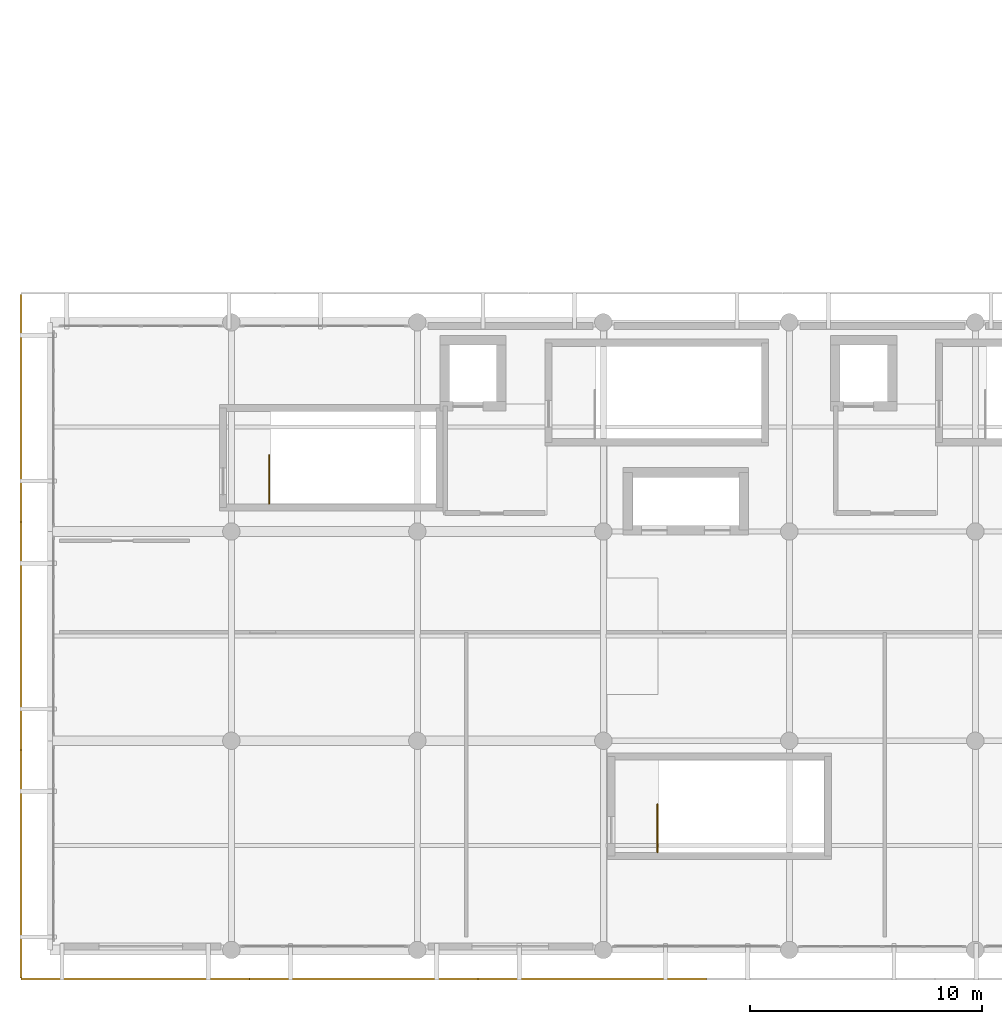
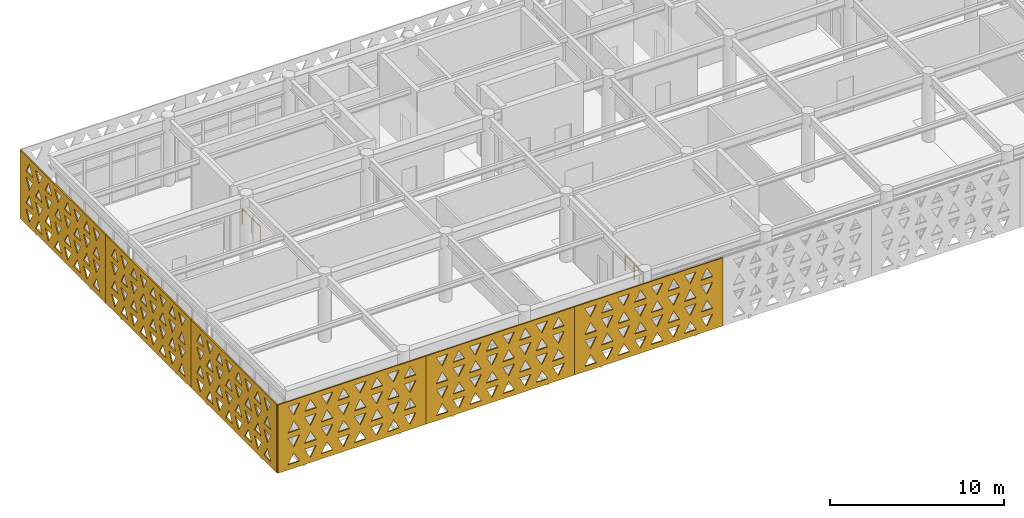
# One storey, part 22 of 26: 6 coverings, 2 railings.
"""IFC4 building model written with IfcOpenShell, lengths in metres."""

from ifc_helpers import new_model, si_unit, direction, frame, origin, origin_2d, place, context, subcontext, project, spatial, polyline, circle, outline, extrude, material, layer, layer_set, type_object, element, save


model = new_model("IFC4")

# Units and contexts
model_context = context("Model", 3, precision=1e-05, world=origin(), true_north=direction((0.0, 1.0)))
body_context = subcontext(model_context, "Body", "Model", "MODEL_VIEW")
ifc_project = project(units=[si_unit("LENGTHUNIT", "METRE"), si_unit("AREAUNIT", "SQUARE_METRE"), si_unit("VOLUMEUNIT", "CUBIC_METRE"), si_unit("PLANEANGLEUNIT", "RADIAN"), si_unit("MASSUNIT", "GRAM", prefix="KILO")], contexts=[model_context])

# Site, building, storey
site_placement = place(None, origin())
site = spatial("IfcSite", under=ifc_project, at=site_placement, CompositionType="ELEMENT")
building_placement = place(site_placement, origin())
building = spatial("IfcBuilding", under=site, at=building_placement, Name="Tlacozan Convention Centre", CompositionType="ELEMENT")
storey_placement = place(building_placement, frame((0.0, 0.0, 21.0)))
storey = spatial("IfcBuildingStorey", under=building, at=storey_placement, Name="L04", CompositionType="ELEMENT", Elevation=21.0)

# Railings
ifc_material_1 = material(Name="Architectural Painted Galvanised Steel Railing", Category="steel")
railing_type = type_object("IfcRailingType", Name="Stair Well Guardrail 1100", PredefinedType="GUARDRAIL", material=ifc_material_1)
for number, where, name in (
    (1, (9.6298828125, 19.199951171875, 0.0), "L04 ST-13 top well guard 1"),
    (2, (26.330078125, 4.199951171875, 0.0), "L04 ST-16 top well guard 1"),
):
    element("IfcRailing", number, at=place(storey_placement, frame(where)), inside=storey, type_object=railing_type, Name=name, PredefinedType="GUARDRAIL", context=body_context, shape_type="SweptSolid", body=[
        extrude(circle(Radius=0.02392578125, at=origin_2d()), frame((0.0, 0.0, 1.076171875), z_axis=(0.0, 1.0, 0.0), x_axis=(-1.0, 0.0, 0.0)), (0.0, 0.0, 1.0), 2.080078125),
        extrude(circle(Radius=0.02099609375, at=origin_2d()), origin(), (0.0, 0.0, 1.0), 1.052001953125),
        extrude(circle(Radius=0.02099609375, at=origin_2d()), frame((0.0, 1.0400390625, 0.0)), (0.0, 0.0, 1.0), 1.052001953125),
        extrude(circle(Radius=0.02099609375, at=origin_2d()), frame((0.0, 2.080078125, 0.0)), (0.0, 0.0, 1.0), 1.052001953125),
    ])

# Coverings
ifc_material_2 = material(Name="Toluca Fired Terracotta Masonry Solar Screen", Category="masonry")
ifc_layer = layer(ifc_material_2, 0.080078125)
ifc_layer_set = layer_set([ifc_layer], Name="Toluca Fired Terracotta Masonry Solar Screen")
covering_type = type_object("IfcCoveringType", Name="Terracotta Triangle Solar Screen 80", PredefinedType="USERDEFINED", material=ifc_layer_set)
covering_1_placement = place(storey_placement, frame((-1.048095703125, -1.25, -0.030029296875), z_axis=(0.0, 0.0, 1.0), x_axis=(1.0, 0.0, 0.0)))
element("IfcCovering", 3, at=covering_1_placement, inside=storey, type_object=covering_type, Name="L04 Terracotta Triangle Screen 77", ObjectType="SCREEN", PredefinedType="USERDEFINED", context=body_context, shape_type="SweptSolid", body=[
    extrude(outline(polyline([(0.0, 0.0), (9.826171875, 0.0), (9.826171875, 4.780029296875), (0.0, 4.780029296875), (0.0, 0.0)]), holes=[polyline([(0.677001953125, 0.360107421875), (1.44921875, 0.360107421875), (1.06298828125, 1.074951171875), (0.677001953125, 0.360107421875)]), polyline([(1.777099609375, 1.074951171875), (2.549072265625, 1.074951171875), (2.1630859375, 0.360107421875), (1.777099609375, 1.074951171875)]), polyline([(2.876953125, 0.360107421875), (3.649169921875, 0.360107421875), (3.26318359375, 1.074951171875), (2.876953125, 0.360107421875)]), polyline([(3.97705078125, 1.074951171875), (4.7490234375, 1.074951171875), (4.363037109375, 0.360107421875), (3.97705078125, 1.074951171875)]), polyline([(5.0771484375, 0.360107421875), (5.84912109375, 0.360107421875), (5.463134765625, 1.074951171875), (5.0771484375, 0.360107421875)]), polyline([(6.177001953125, 1.074951171875), (6.94921875, 1.074951171875), (6.56298828125, 0.360107421875), (6.177001953125, 1.074951171875)]), polyline([(7.277099609375, 0.360107421875), (8.049072265625, 0.360107421875), (7.6630859375, 1.074951171875), (7.277099609375, 0.360107421875)]), polyline([(8.376953125, 1.074951171875), (9.149169921875, 1.074951171875), (8.76318359375, 0.360107421875), (8.376953125, 1.074951171875)]), polyline([(0.677001953125, 2.18994140625), (1.44921875, 2.18994140625), (1.06298828125, 1.47509765625), (0.677001953125, 2.18994140625)]), polyline([(1.777099609375, 1.47509765625), (2.549072265625, 1.47509765625), (2.1630859375, 2.18994140625), (1.777099609375, 1.47509765625)]), polyline([(2.876953125, 2.18994140625), (3.649169921875, 2.18994140625), (3.26318359375, 1.47509765625), (2.876953125, 2.18994140625)]), polyline([(3.97705078125, 1.47509765625), (4.7490234375, 1.47509765625), (4.363037109375, 2.18994140625), (3.97705078125, 1.47509765625)]), polyline([(5.0771484375, 2.18994140625), (5.84912109375, 2.18994140625), (5.463134765625, 1.47509765625), (5.0771484375, 2.18994140625)]), polyline([(6.177001953125, 1.47509765625), (6.94921875, 1.47509765625), (6.56298828125, 2.18994140625), (6.177001953125, 1.47509765625)]), polyline([(7.277099609375, 2.18994140625), (8.049072265625, 2.18994140625), (7.6630859375, 1.47509765625), (7.277099609375, 2.18994140625)]), polyline([(8.376953125, 1.47509765625), (9.149169921875, 1.47509765625), (8.76318359375, 2.18994140625), (8.376953125, 1.47509765625)]), polyline([(0.677001953125, 2.590087890625), (1.44921875, 2.590087890625), (1.06298828125, 3.304931640625), (0.677001953125, 2.590087890625)]), polyline([(1.777099609375, 3.304931640625), (2.549072265625, 3.304931640625), (2.1630859375, 2.590087890625), (1.777099609375, 3.304931640625)]), polyline([(2.876953125, 2.590087890625), (3.649169921875, 2.590087890625), (3.26318359375, 3.304931640625), (2.876953125, 2.590087890625)]), polyline([(3.97705078125, 3.304931640625), (4.7490234375, 3.304931640625), (4.363037109375, 2.590087890625), (3.97705078125, 3.304931640625)]), polyline([(5.0771484375, 2.590087890625), (5.84912109375, 2.590087890625), (5.463134765625, 3.304931640625), (5.0771484375, 2.590087890625)]), polyline([(6.177001953125, 3.304931640625), (6.94921875, 3.304931640625), (6.56298828125, 2.590087890625), (6.177001953125, 3.304931640625)]), polyline([(7.277099609375, 2.590087890625), (8.049072265625, 2.590087890625), (7.6630859375, 3.304931640625), (7.277099609375, 2.590087890625)]), polyline([(8.376953125, 3.304931640625), (9.149169921875, 3.304931640625), (8.76318359375, 2.590087890625), (8.376953125, 3.304931640625)]), polyline([(0.677001953125, 4.419921875), (1.44921875, 4.419921875), (1.06298828125, 3.705078125), (0.677001953125, 4.419921875)]), polyline([(1.777099609375, 3.705078125), (2.549072265625, 3.705078125), (2.1630859375, 4.419921875), (1.777099609375, 3.705078125)]), polyline([(2.876953125, 4.419921875), (3.649169921875, 4.419921875), (3.26318359375, 3.705078125), (2.876953125, 4.419921875)]), polyline([(3.97705078125, 3.705078125), (4.7490234375, 3.705078125), (4.363037109375, 4.419921875), (3.97705078125, 3.705078125)]), polyline([(5.0771484375, 4.419921875), (5.84912109375, 4.419921875), (5.463134765625, 3.705078125), (5.0771484375, 4.419921875)]), polyline([(6.177001953125, 3.705078125), (6.94921875, 3.705078125), (6.56298828125, 4.419921875), (6.177001953125, 3.705078125)]), polyline([(7.277099609375, 4.419921875), (8.049072265625, 4.419921875), (7.6630859375, 3.705078125), (7.277099609375, 4.419921875)]), polyline([(8.376953125, 3.705078125), (9.149169921875, 3.705078125), (8.76318359375, 4.419921875), (8.376953125, 3.705078125)])]), frame((0.0, 0.0400390625, 0.0), z_axis=(0.0, -1.0, 0.0), x_axis=(1.0, 0.0, 0.0)), (0.0, 0.0, 1.0), 0.080078125),
])
covering_2_placement = place(storey_placement, frame((8.781982421875, -1.25, -0.030029296875), z_axis=(0.0, 0.0, 1.0), x_axis=(1.0, 0.0, 0.0)))
element("IfcCovering", 4, at=covering_2_placement, inside=storey, type_object=covering_type, Name="L04 Terracotta Triangle Screen 78", ObjectType="SCREEN", PredefinedType="USERDEFINED", context=body_context, shape_type="SweptSolid", body=[
    extrude(outline(polyline([(0.0, 0.0), (9.825927734375, 0.0), (9.825927734375, 4.780029296875), (0.0, 4.780029296875), (0.0, 0.0)]), holes=[polyline([(0.677001953125, 0.360107421875), (1.448974609375, 0.360107421875), (1.06298828125, 1.074951171875), (0.677001953125, 0.360107421875)]), polyline([(1.77685546875, 1.074951171875), (2.549072265625, 1.074951171875), (2.1630859375, 0.360107421875), (1.77685546875, 1.074951171875)]), polyline([(2.876953125, 0.360107421875), (3.64892578125, 0.360107421875), (3.262939453125, 1.074951171875), (2.876953125, 0.360107421875)]), polyline([(3.97705078125, 1.074951171875), (4.7490234375, 1.074951171875), (4.363037109375, 0.360107421875), (3.97705078125, 1.074951171875)]), polyline([(5.076904296875, 0.360107421875), (5.848876953125, 0.360107421875), (5.462890625, 1.074951171875), (5.076904296875, 0.360107421875)]), polyline([(6.177001953125, 1.074951171875), (6.948974609375, 1.074951171875), (6.56298828125, 0.360107421875), (6.177001953125, 1.074951171875)]), polyline([(7.27685546875, 0.360107421875), (8.049072265625, 0.360107421875), (7.6630859375, 1.074951171875), (7.27685546875, 0.360107421875)]), polyline([(8.376953125, 1.074951171875), (9.14892578125, 1.074951171875), (8.762939453125, 0.360107421875), (8.376953125, 1.074951171875)]), polyline([(0.677001953125, 2.18994140625), (1.448974609375, 2.18994140625), (1.06298828125, 1.47509765625), (0.677001953125, 2.18994140625)]), polyline([(1.77685546875, 1.47509765625), (2.549072265625, 1.47509765625), (2.1630859375, 2.18994140625), (1.77685546875, 1.47509765625)]), polyline([(2.876953125, 2.18994140625), (3.64892578125, 2.18994140625), (3.262939453125, 1.47509765625), (2.876953125, 2.18994140625)]), polyline([(3.97705078125, 1.47509765625), (4.7490234375, 1.47509765625), (4.363037109375, 2.18994140625), (3.97705078125, 1.47509765625)]), polyline([(5.076904296875, 2.18994140625), (5.848876953125, 2.18994140625), (5.462890625, 1.47509765625), (5.076904296875, 2.18994140625)]), polyline([(6.177001953125, 1.47509765625), (6.948974609375, 1.47509765625), (6.56298828125, 2.18994140625), (6.177001953125, 1.47509765625)]), polyline([(7.27685546875, 2.18994140625), (8.049072265625, 2.18994140625), (7.6630859375, 1.47509765625), (7.27685546875, 2.18994140625)]), polyline([(8.376953125, 1.47509765625), (9.14892578125, 1.47509765625), (8.762939453125, 2.18994140625), (8.376953125, 1.47509765625)]), polyline([(0.677001953125, 2.590087890625), (1.448974609375, 2.590087890625), (1.06298828125, 3.304931640625), (0.677001953125, 2.590087890625)]), polyline([(1.77685546875, 3.304931640625), (2.549072265625, 3.304931640625), (2.1630859375, 2.590087890625), (1.77685546875, 3.304931640625)]), polyline([(2.876953125, 2.590087890625), (3.64892578125, 2.590087890625), (3.262939453125, 3.304931640625), (2.876953125, 2.590087890625)]), polyline([(3.97705078125, 3.304931640625), (4.7490234375, 3.304931640625), (4.363037109375, 2.590087890625), (3.97705078125, 3.304931640625)]), polyline([(5.076904296875, 2.590087890625), (5.848876953125, 2.590087890625), (5.462890625, 3.304931640625), (5.076904296875, 2.590087890625)]), polyline([(6.177001953125, 3.304931640625), (6.948974609375, 3.304931640625), (6.56298828125, 2.590087890625), (6.177001953125, 3.304931640625)]), polyline([(7.27685546875, 2.590087890625), (8.049072265625, 2.590087890625), (7.6630859375, 3.304931640625), (7.27685546875, 2.590087890625)]), polyline([(8.376953125, 3.304931640625), (9.14892578125, 3.304931640625), (8.762939453125, 2.590087890625), (8.376953125, 3.304931640625)]), polyline([(0.677001953125, 4.419921875), (1.448974609375, 4.419921875), (1.06298828125, 3.705078125), (0.677001953125, 4.419921875)]), polyline([(1.77685546875, 3.705078125), (2.549072265625, 3.705078125), (2.1630859375, 4.419921875), (1.77685546875, 3.705078125)]), polyline([(2.876953125, 4.419921875), (3.64892578125, 4.419921875), (3.262939453125, 3.705078125), (2.876953125, 4.419921875)]), polyline([(3.97705078125, 3.705078125), (4.7490234375, 3.705078125), (4.363037109375, 4.419921875), (3.97705078125, 3.705078125)]), polyline([(5.076904296875, 4.419921875), (5.848876953125, 4.419921875), (5.462890625, 3.705078125), (5.076904296875, 4.419921875)]), polyline([(6.177001953125, 3.705078125), (6.948974609375, 3.705078125), (6.56298828125, 4.419921875), (6.177001953125, 3.705078125)]), polyline([(7.27685546875, 4.419921875), (8.049072265625, 4.419921875), (7.6630859375, 3.705078125), (7.27685546875, 4.419921875)]), polyline([(8.376953125, 3.705078125), (9.14892578125, 3.705078125), (8.762939453125, 4.419921875), (8.376953125, 3.705078125)])]), frame((0.0, 0.0400390625, 0.0), z_axis=(0.0, -1.0, 0.0), x_axis=(1.0, 0.0, 0.0)), (0.0, 0.0, 1.0), 0.080078125),
])
covering_3_placement = place(storey_placement, frame((18.612060546875, -1.25, -0.030029296875), z_axis=(0.0, 0.0, 1.0), x_axis=(1.0, 0.0, 0.0)))
element("IfcCovering", 5, at=covering_3_placement, inside=storey, type_object=covering_type, Name="L04 Terracotta Triangle Screen 79", ObjectType="SCREEN", PredefinedType="USERDEFINED", context=body_context, shape_type="SweptSolid", body=[
    extrude(outline(polyline([(0.0, 0.0), (9.825927734375, 0.0), (9.825927734375, 4.780029296875), (0.0, 4.780029296875), (0.0, 0.0)]), holes=[polyline([(0.677001953125, 0.360107421875), (1.448974609375, 0.360107421875), (1.06298828125, 1.074951171875), (0.677001953125, 0.360107421875)]), polyline([(1.77685546875, 1.074951171875), (2.549072265625, 1.074951171875), (2.1630859375, 0.360107421875), (1.77685546875, 1.074951171875)]), polyline([(2.876953125, 0.360107421875), (3.64892578125, 0.360107421875), (3.262939453125, 1.074951171875), (2.876953125, 0.360107421875)]), polyline([(3.97705078125, 1.074951171875), (4.7490234375, 1.074951171875), (4.363037109375, 0.360107421875), (3.97705078125, 1.074951171875)]), polyline([(5.076904296875, 0.360107421875), (5.848876953125, 0.360107421875), (5.462890625, 1.074951171875), (5.076904296875, 0.360107421875)]), polyline([(6.177001953125, 1.074951171875), (6.948974609375, 1.074951171875), (6.56298828125, 0.360107421875), (6.177001953125, 1.074951171875)]), polyline([(7.27685546875, 0.360107421875), (8.049072265625, 0.360107421875), (7.6630859375, 1.074951171875), (7.27685546875, 0.360107421875)]), polyline([(8.376953125, 1.074951171875), (9.14892578125, 1.074951171875), (8.762939453125, 0.360107421875), (8.376953125, 1.074951171875)]), polyline([(0.677001953125, 2.18994140625), (1.448974609375, 2.18994140625), (1.06298828125, 1.47509765625), (0.677001953125, 2.18994140625)]), polyline([(1.77685546875, 1.47509765625), (2.549072265625, 1.47509765625), (2.1630859375, 2.18994140625), (1.77685546875, 1.47509765625)]), polyline([(2.876953125, 2.18994140625), (3.64892578125, 2.18994140625), (3.262939453125, 1.47509765625), (2.876953125, 2.18994140625)]), polyline([(3.97705078125, 1.47509765625), (4.7490234375, 1.47509765625), (4.363037109375, 2.18994140625), (3.97705078125, 1.47509765625)]), polyline([(5.076904296875, 2.18994140625), (5.848876953125, 2.18994140625), (5.462890625, 1.47509765625), (5.076904296875, 2.18994140625)]), polyline([(6.177001953125, 1.47509765625), (6.948974609375, 1.47509765625), (6.56298828125, 2.18994140625), (6.177001953125, 1.47509765625)]), polyline([(7.27685546875, 2.18994140625), (8.049072265625, 2.18994140625), (7.6630859375, 1.47509765625), (7.27685546875, 2.18994140625)]), polyline([(8.376953125, 1.47509765625), (9.14892578125, 1.47509765625), (8.762939453125, 2.18994140625), (8.376953125, 1.47509765625)]), polyline([(0.677001953125, 2.590087890625), (1.448974609375, 2.590087890625), (1.06298828125, 3.304931640625), (0.677001953125, 2.590087890625)]), polyline([(1.77685546875, 3.304931640625), (2.549072265625, 3.304931640625), (2.1630859375, 2.590087890625), (1.77685546875, 3.304931640625)]), polyline([(2.876953125, 2.590087890625), (3.64892578125, 2.590087890625), (3.262939453125, 3.304931640625), (2.876953125, 2.590087890625)]), polyline([(3.97705078125, 3.304931640625), (4.7490234375, 3.304931640625), (4.363037109375, 2.590087890625), (3.97705078125, 3.304931640625)]), polyline([(5.076904296875, 2.590087890625), (5.848876953125, 2.590087890625), (5.462890625, 3.304931640625), (5.076904296875, 2.590087890625)]), polyline([(6.177001953125, 3.304931640625), (6.948974609375, 3.304931640625), (6.56298828125, 2.590087890625), (6.177001953125, 3.304931640625)]), polyline([(7.27685546875, 2.590087890625), (8.049072265625, 2.590087890625), (7.6630859375, 3.304931640625), (7.27685546875, 2.590087890625)]), polyline([(8.376953125, 3.304931640625), (9.14892578125, 3.304931640625), (8.762939453125, 2.590087890625), (8.376953125, 3.304931640625)]), polyline([(0.677001953125, 4.419921875), (1.448974609375, 4.419921875), (1.06298828125, 3.705078125), (0.677001953125, 4.419921875)]), polyline([(1.77685546875, 3.705078125), (2.549072265625, 3.705078125), (2.1630859375, 4.419921875), (1.77685546875, 3.705078125)]), polyline([(2.876953125, 4.419921875), (3.64892578125, 4.419921875), (3.262939453125, 3.705078125), (2.876953125, 4.419921875)]), polyline([(3.97705078125, 3.705078125), (4.7490234375, 3.705078125), (4.363037109375, 4.419921875), (3.97705078125, 3.705078125)]), polyline([(5.076904296875, 4.419921875), (5.848876953125, 4.419921875), (5.462890625, 3.705078125), (5.076904296875, 4.419921875)]), polyline([(6.177001953125, 3.705078125), (6.948974609375, 3.705078125), (6.56298828125, 4.419921875), (6.177001953125, 3.705078125)]), polyline([(7.27685546875, 4.419921875), (8.049072265625, 4.419921875), (7.6630859375, 3.705078125), (7.27685546875, 4.419921875)]), polyline([(8.376953125, 3.705078125), (9.14892578125, 3.705078125), (8.762939453125, 4.419921875), (8.376953125, 3.705078125)])]), frame((0.0, 0.0400390625, 0.0), z_axis=(0.0, -1.0, 0.0), x_axis=(1.0, 0.0, 0.0)), (0.0, 0.0, 1.0), 0.080078125),
])
covering_4_placement = place(storey_placement, frame((-1.050048828125, -1.205078125, -0.030029296875), z_axis=(0.0, 0.0, 1.0), x_axis=(0.0, 1.0, 0.0)))
element("IfcCovering", 6, at=covering_4_placement, inside=storey, type_object=covering_type, Name="L04 Terracotta Triangle Screen 87", ObjectType="SCREEN", PredefinedType="USERDEFINED", context=body_context, shape_type="SweptSolid", body=[
    extrude(outline(polyline([(0.0, 0.0), (9.80078125, 0.0), (9.80078125, 4.780029296875), (0.0, 4.780029296875), (0.0, 0.0)]), holes=[polyline([(0.664306640625, 0.360107421875), (1.4365234375, 0.360107421875), (1.05029296875, 1.074951171875), (0.664306640625, 0.360107421875)]), polyline([(1.764404296875, 1.074951171875), (2.536376953125, 1.074951171875), (2.150390625, 0.360107421875), (1.764404296875, 1.074951171875)]), polyline([(2.8642578125, 0.360107421875), (3.636474609375, 0.360107421875), (3.25048828125, 1.074951171875), (2.8642578125, 0.360107421875)]), polyline([(3.96435546875, 1.074951171875), (4.736328125, 1.074951171875), (4.350341796875, 0.360107421875), (3.96435546875, 1.074951171875)]), polyline([(5.064453125, 0.360107421875), (5.83642578125, 0.360107421875), (5.450439453125, 1.074951171875), (5.064453125, 0.360107421875)]), polyline([(6.164306640625, 1.074951171875), (6.9365234375, 1.074951171875), (6.55029296875, 0.360107421875), (6.164306640625, 1.074951171875)]), polyline([(7.264404296875, 0.360107421875), (8.036376953125, 0.360107421875), (7.650390625, 1.074951171875), (7.264404296875, 0.360107421875)]), polyline([(8.3642578125, 1.074951171875), (9.136474609375, 1.074951171875), (8.75048828125, 0.360107421875), (8.3642578125, 1.074951171875)]), polyline([(0.664306640625, 2.18994140625), (1.4365234375, 2.18994140625), (1.05029296875, 1.47509765625), (0.664306640625, 2.18994140625)]), polyline([(1.764404296875, 1.47509765625), (2.536376953125, 1.47509765625), (2.150390625, 2.18994140625), (1.764404296875, 1.47509765625)]), polyline([(2.8642578125, 2.18994140625), (3.636474609375, 2.18994140625), (3.25048828125, 1.47509765625), (2.8642578125, 2.18994140625)]), polyline([(3.96435546875, 1.47509765625), (4.736328125, 1.47509765625), (4.350341796875, 2.18994140625), (3.96435546875, 1.47509765625)]), polyline([(5.064453125, 2.18994140625), (5.83642578125, 2.18994140625), (5.450439453125, 1.47509765625), (5.064453125, 2.18994140625)]), polyline([(6.164306640625, 1.47509765625), (6.9365234375, 1.47509765625), (6.55029296875, 2.18994140625), (6.164306640625, 1.47509765625)]), polyline([(7.264404296875, 2.18994140625), (8.036376953125, 2.18994140625), (7.650390625, 1.47509765625), (7.264404296875, 2.18994140625)]), polyline([(8.3642578125, 1.47509765625), (9.136474609375, 1.47509765625), (8.75048828125, 2.18994140625), (8.3642578125, 1.47509765625)]), polyline([(0.664306640625, 2.590087890625), (1.4365234375, 2.590087890625), (1.05029296875, 3.304931640625), (0.664306640625, 2.590087890625)]), polyline([(1.764404296875, 3.304931640625), (2.536376953125, 3.304931640625), (2.150390625, 2.590087890625), (1.764404296875, 3.304931640625)]), polyline([(2.8642578125, 2.590087890625), (3.636474609375, 2.590087890625), (3.25048828125, 3.304931640625), (2.8642578125, 2.590087890625)]), polyline([(3.96435546875, 3.304931640625), (4.736328125, 3.304931640625), (4.350341796875, 2.590087890625), (3.96435546875, 3.304931640625)]), polyline([(5.064453125, 2.590087890625), (5.83642578125, 2.590087890625), (5.450439453125, 3.304931640625), (5.064453125, 2.590087890625)]), polyline([(6.164306640625, 3.304931640625), (6.9365234375, 3.304931640625), (6.55029296875, 2.590087890625), (6.164306640625, 3.304931640625)]), polyline([(7.264404296875, 2.590087890625), (8.036376953125, 2.590087890625), (7.650390625, 3.304931640625), (7.264404296875, 2.590087890625)]), polyline([(8.3642578125, 3.304931640625), (9.136474609375, 3.304931640625), (8.75048828125, 2.590087890625), (8.3642578125, 3.304931640625)]), polyline([(0.664306640625, 4.419921875), (1.4365234375, 4.419921875), (1.05029296875, 3.705078125), (0.664306640625, 4.419921875)]), polyline([(1.764404296875, 3.705078125), (2.536376953125, 3.705078125), (2.150390625, 4.419921875), (1.764404296875, 3.705078125)]), polyline([(2.8642578125, 4.419921875), (3.636474609375, 4.419921875), (3.25048828125, 3.705078125), (2.8642578125, 4.419921875)]), polyline([(3.96435546875, 3.705078125), (4.736328125, 3.705078125), (4.350341796875, 4.419921875), (3.96435546875, 3.705078125)]), polyline([(5.064453125, 4.419921875), (5.83642578125, 4.419921875), (5.450439453125, 3.705078125), (5.064453125, 4.419921875)]), polyline([(6.164306640625, 3.705078125), (6.9365234375, 3.705078125), (6.55029296875, 4.419921875), (6.164306640625, 3.705078125)]), polyline([(7.264404296875, 4.419921875), (8.036376953125, 4.419921875), (7.650390625, 3.705078125), (7.264404296875, 4.419921875)]), polyline([(8.3642578125, 3.705078125), (9.136474609375, 3.705078125), (8.75048828125, 4.419921875), (8.3642578125, 3.705078125)])]), frame((0.0, 0.0400390625, 0.0), z_axis=(0.0, -1.0, 0.0), x_axis=(1.0, 0.0, 0.0)), (0.0, 0.0, 1.0), 0.080078125),
])
covering_5_placement = place(storey_placement, frame((-1.050048828125, 8.599609375, -0.030029296875), z_axis=(0.0, 0.0, 1.0), x_axis=(0.0, 1.0, 0.0)))
element("IfcCovering", 7, at=covering_5_placement, inside=storey, type_object=covering_type, Name="L04 Terracotta Triangle Screen 88", ObjectType="SCREEN", PredefinedType="USERDEFINED", context=body_context, shape_type="SweptSolid", body=[
    extrude(outline(polyline([(0.0, 0.0), (9.80078125, 0.0), (9.80078125, 4.780029296875), (0.0, 4.780029296875), (0.0, 0.0)]), holes=[polyline([(0.664306640625, 0.360107421875), (1.4365234375, 0.360107421875), (1.05029296875, 1.074951171875), (0.664306640625, 0.360107421875)]), polyline([(1.764404296875, 1.074951171875), (2.536376953125, 1.074951171875), (2.150390625, 0.360107421875), (1.764404296875, 1.074951171875)]), polyline([(2.8642578125, 0.360107421875), (3.636474609375, 0.360107421875), (3.25048828125, 1.074951171875), (2.8642578125, 0.360107421875)]), polyline([(3.96435546875, 1.074951171875), (4.736328125, 1.074951171875), (4.350341796875, 0.360107421875), (3.96435546875, 1.074951171875)]), polyline([(5.064453125, 0.360107421875), (5.83642578125, 0.360107421875), (5.450439453125, 1.074951171875), (5.064453125, 0.360107421875)]), polyline([(6.164306640625, 1.074951171875), (6.9365234375, 1.074951171875), (6.55029296875, 0.360107421875), (6.164306640625, 1.074951171875)]), polyline([(7.264404296875, 0.360107421875), (8.036376953125, 0.360107421875), (7.650390625, 1.074951171875), (7.264404296875, 0.360107421875)]), polyline([(8.3642578125, 1.074951171875), (9.136474609375, 1.074951171875), (8.75048828125, 0.360107421875), (8.3642578125, 1.074951171875)]), polyline([(0.664306640625, 2.18994140625), (1.4365234375, 2.18994140625), (1.05029296875, 1.47509765625), (0.664306640625, 2.18994140625)]), polyline([(1.764404296875, 1.47509765625), (2.536376953125, 1.47509765625), (2.150390625, 2.18994140625), (1.764404296875, 1.47509765625)]), polyline([(2.8642578125, 2.18994140625), (3.636474609375, 2.18994140625), (3.25048828125, 1.47509765625), (2.8642578125, 2.18994140625)]), polyline([(3.96435546875, 1.47509765625), (4.736328125, 1.47509765625), (4.350341796875, 2.18994140625), (3.96435546875, 1.47509765625)]), polyline([(5.064453125, 2.18994140625), (5.83642578125, 2.18994140625), (5.450439453125, 1.47509765625), (5.064453125, 2.18994140625)]), polyline([(6.164306640625, 1.47509765625), (6.9365234375, 1.47509765625), (6.55029296875, 2.18994140625), (6.164306640625, 1.47509765625)]), polyline([(7.264404296875, 2.18994140625), (8.036376953125, 2.18994140625), (7.650390625, 1.47509765625), (7.264404296875, 2.18994140625)]), polyline([(8.3642578125, 1.47509765625), (9.136474609375, 1.47509765625), (8.75048828125, 2.18994140625), (8.3642578125, 1.47509765625)]), polyline([(0.664306640625, 2.590087890625), (1.4365234375, 2.590087890625), (1.05029296875, 3.304931640625), (0.664306640625, 2.590087890625)]), polyline([(1.764404296875, 3.304931640625), (2.536376953125, 3.304931640625), (2.150390625, 2.590087890625), (1.764404296875, 3.304931640625)]), polyline([(2.8642578125, 2.590087890625), (3.636474609375, 2.590087890625), (3.25048828125, 3.304931640625), (2.8642578125, 2.590087890625)]), polyline([(3.96435546875, 3.304931640625), (4.736328125, 3.304931640625), (4.350341796875, 2.590087890625), (3.96435546875, 3.304931640625)]), polyline([(5.064453125, 2.590087890625), (5.83642578125, 2.590087890625), (5.450439453125, 3.304931640625), (5.064453125, 2.590087890625)]), polyline([(6.164306640625, 3.304931640625), (6.9365234375, 3.304931640625), (6.55029296875, 2.590087890625), (6.164306640625, 3.304931640625)]), polyline([(7.264404296875, 2.590087890625), (8.036376953125, 2.590087890625), (7.650390625, 3.304931640625), (7.264404296875, 2.590087890625)]), polyline([(8.3642578125, 3.304931640625), (9.136474609375, 3.304931640625), (8.75048828125, 2.590087890625), (8.3642578125, 3.304931640625)]), polyline([(0.664306640625, 4.419921875), (1.4365234375, 4.419921875), (1.05029296875, 3.705078125), (0.664306640625, 4.419921875)]), polyline([(1.764404296875, 3.705078125), (2.536376953125, 3.705078125), (2.150390625, 4.419921875), (1.764404296875, 3.705078125)]), polyline([(2.8642578125, 4.419921875), (3.636474609375, 4.419921875), (3.25048828125, 3.705078125), (2.8642578125, 4.419921875)]), polyline([(3.96435546875, 3.705078125), (4.736328125, 3.705078125), (4.350341796875, 4.419921875), (3.96435546875, 3.705078125)]), polyline([(5.064453125, 4.419921875), (5.83642578125, 4.419921875), (5.450439453125, 3.705078125), (5.064453125, 4.419921875)]), polyline([(6.164306640625, 3.705078125), (6.9365234375, 3.705078125), (6.55029296875, 4.419921875), (6.164306640625, 3.705078125)]), polyline([(7.264404296875, 4.419921875), (8.036376953125, 4.419921875), (7.650390625, 3.705078125), (7.264404296875, 4.419921875)]), polyline([(8.3642578125, 3.705078125), (9.136474609375, 3.705078125), (8.75048828125, 4.419921875), (8.3642578125, 3.705078125)])]), frame((0.0, 0.0400390625, 0.0), z_axis=(0.0, -1.0, 0.0), x_axis=(1.0, 0.0, 0.0)), (0.0, 0.0, 1.0), 0.080078125),
])
covering_6_placement = place(storey_placement, frame((-1.050048828125, 18.404296875, -0.030029296875), z_axis=(0.0, 0.0, 1.0), x_axis=(0.0, 1.0, 0.0)))
element("IfcCovering", 8, at=covering_6_placement, inside=storey, type_object=covering_type, Name="L04 Terracotta Triangle Screen 89", ObjectType="SCREEN", PredefinedType="USERDEFINED", context=body_context, shape_type="SweptSolid", body=[
    extrude(outline(polyline([(0.0, 0.0), (9.80078125, 0.0), (9.80078125, 4.780029296875), (0.0, 4.780029296875), (0.0, 0.0)]), holes=[polyline([(0.664306640625, 0.360107421875), (1.4365234375, 0.360107421875), (1.05029296875, 1.074951171875), (0.664306640625, 0.360107421875)]), polyline([(1.764404296875, 1.074951171875), (2.536376953125, 1.074951171875), (2.150390625, 0.360107421875), (1.764404296875, 1.074951171875)]), polyline([(2.8642578125, 0.360107421875), (3.636474609375, 0.360107421875), (3.25048828125, 1.074951171875), (2.8642578125, 0.360107421875)]), polyline([(3.96435546875, 1.074951171875), (4.736328125, 1.074951171875), (4.350341796875, 0.360107421875), (3.96435546875, 1.074951171875)]), polyline([(5.064453125, 0.360107421875), (5.83642578125, 0.360107421875), (5.450439453125, 1.074951171875), (5.064453125, 0.360107421875)]), polyline([(6.164306640625, 1.074951171875), (6.9365234375, 1.074951171875), (6.55029296875, 0.360107421875), (6.164306640625, 1.074951171875)]), polyline([(7.264404296875, 0.360107421875), (8.036376953125, 0.360107421875), (7.650390625, 1.074951171875), (7.264404296875, 0.360107421875)]), polyline([(8.3642578125, 1.074951171875), (9.136474609375, 1.074951171875), (8.75048828125, 0.360107421875), (8.3642578125, 1.074951171875)]), polyline([(0.664306640625, 2.18994140625), (1.4365234375, 2.18994140625), (1.05029296875, 1.47509765625), (0.664306640625, 2.18994140625)]), polyline([(1.764404296875, 1.47509765625), (2.536376953125, 1.47509765625), (2.150390625, 2.18994140625), (1.764404296875, 1.47509765625)]), polyline([(2.8642578125, 2.18994140625), (3.636474609375, 2.18994140625), (3.25048828125, 1.47509765625), (2.8642578125, 2.18994140625)]), polyline([(3.96435546875, 1.47509765625), (4.736328125, 1.47509765625), (4.350341796875, 2.18994140625), (3.96435546875, 1.47509765625)]), polyline([(5.064453125, 2.18994140625), (5.83642578125, 2.18994140625), (5.450439453125, 1.47509765625), (5.064453125, 2.18994140625)]), polyline([(6.164306640625, 1.47509765625), (6.9365234375, 1.47509765625), (6.55029296875, 2.18994140625), (6.164306640625, 1.47509765625)]), polyline([(7.264404296875, 2.18994140625), (8.036376953125, 2.18994140625), (7.650390625, 1.47509765625), (7.264404296875, 2.18994140625)]), polyline([(8.3642578125, 1.47509765625), (9.136474609375, 1.47509765625), (8.75048828125, 2.18994140625), (8.3642578125, 1.47509765625)]), polyline([(0.664306640625, 2.590087890625), (1.4365234375, 2.590087890625), (1.05029296875, 3.304931640625), (0.664306640625, 2.590087890625)]), polyline([(1.764404296875, 3.304931640625), (2.536376953125, 3.304931640625), (2.150390625, 2.590087890625), (1.764404296875, 3.304931640625)]), polyline([(2.8642578125, 2.590087890625), (3.636474609375, 2.590087890625), (3.25048828125, 3.304931640625), (2.8642578125, 2.590087890625)]), polyline([(3.96435546875, 3.304931640625), (4.736328125, 3.304931640625), (4.350341796875, 2.590087890625), (3.96435546875, 3.304931640625)]), polyline([(5.064453125, 2.590087890625), (5.83642578125, 2.590087890625), (5.450439453125, 3.304931640625), (5.064453125, 2.590087890625)]), polyline([(6.164306640625, 3.304931640625), (6.9365234375, 3.304931640625), (6.55029296875, 2.590087890625), (6.164306640625, 3.304931640625)]), polyline([(7.264404296875, 2.590087890625), (8.036376953125, 2.590087890625), (7.650390625, 3.304931640625), (7.264404296875, 2.590087890625)]), polyline([(8.3642578125, 3.304931640625), (9.136474609375, 3.304931640625), (8.75048828125, 2.590087890625), (8.3642578125, 3.304931640625)]), polyline([(0.664306640625, 4.419921875), (1.4365234375, 4.419921875), (1.05029296875, 3.705078125), (0.664306640625, 4.419921875)]), polyline([(1.764404296875, 3.705078125), (2.536376953125, 3.705078125), (2.150390625, 4.419921875), (1.764404296875, 3.705078125)]), polyline([(2.8642578125, 4.419921875), (3.636474609375, 4.419921875), (3.25048828125, 3.705078125), (2.8642578125, 4.419921875)]), polyline([(3.96435546875, 3.705078125), (4.736328125, 3.705078125), (4.350341796875, 4.419921875), (3.96435546875, 3.705078125)]), polyline([(5.064453125, 4.419921875), (5.83642578125, 4.419921875), (5.450439453125, 3.705078125), (5.064453125, 4.419921875)]), polyline([(6.164306640625, 3.705078125), (6.9365234375, 3.705078125), (6.55029296875, 4.419921875), (6.164306640625, 3.705078125)]), polyline([(7.264404296875, 4.419921875), (8.036376953125, 4.419921875), (7.650390625, 3.705078125), (7.264404296875, 4.419921875)]), polyline([(8.3642578125, 3.705078125), (9.136474609375, 3.705078125), (8.75048828125, 4.419921875), (8.3642578125, 3.705078125)])]), frame((0.0, 0.0400390625, 0.0), z_axis=(0.0, -1.0, 0.0), x_axis=(1.0, 0.0, 0.0)), (0.0, 0.0, 1.0), 0.080078125),
])

save(model, "model.ifc")
